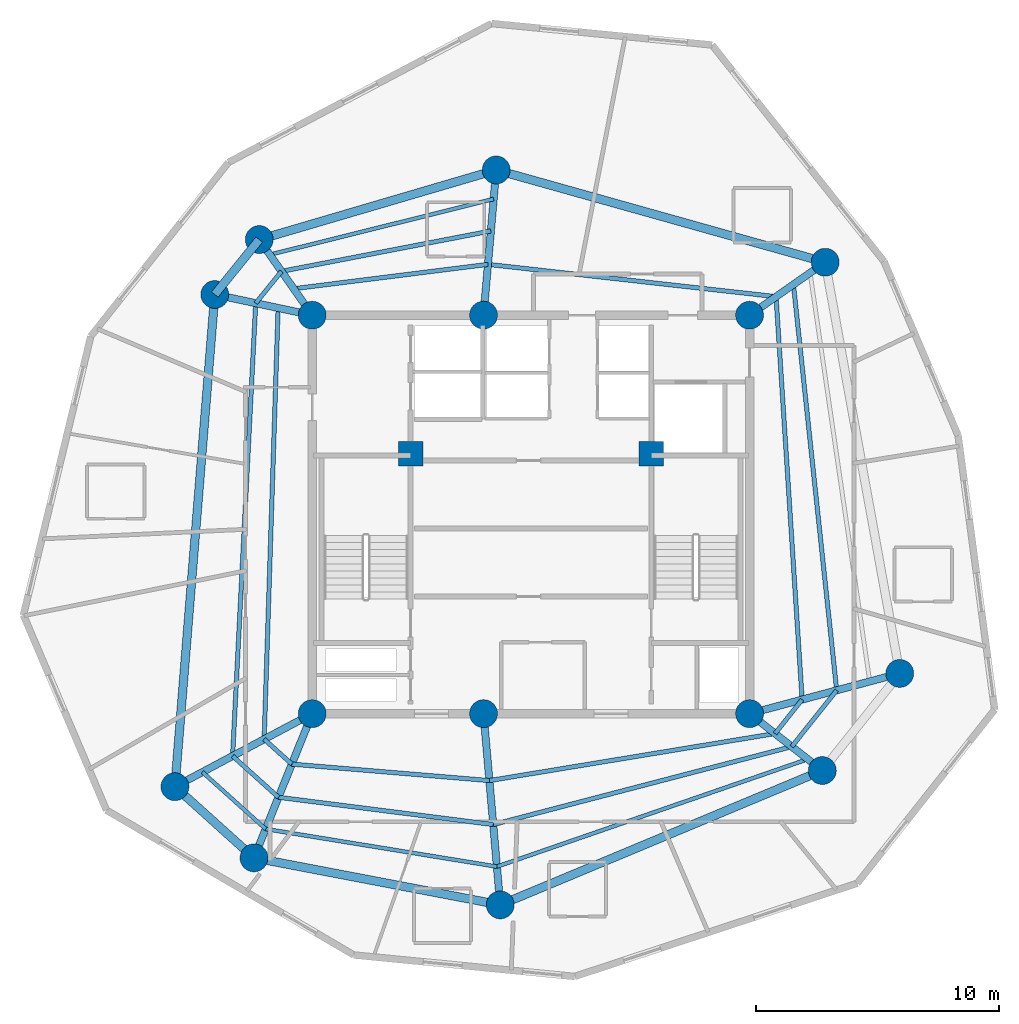
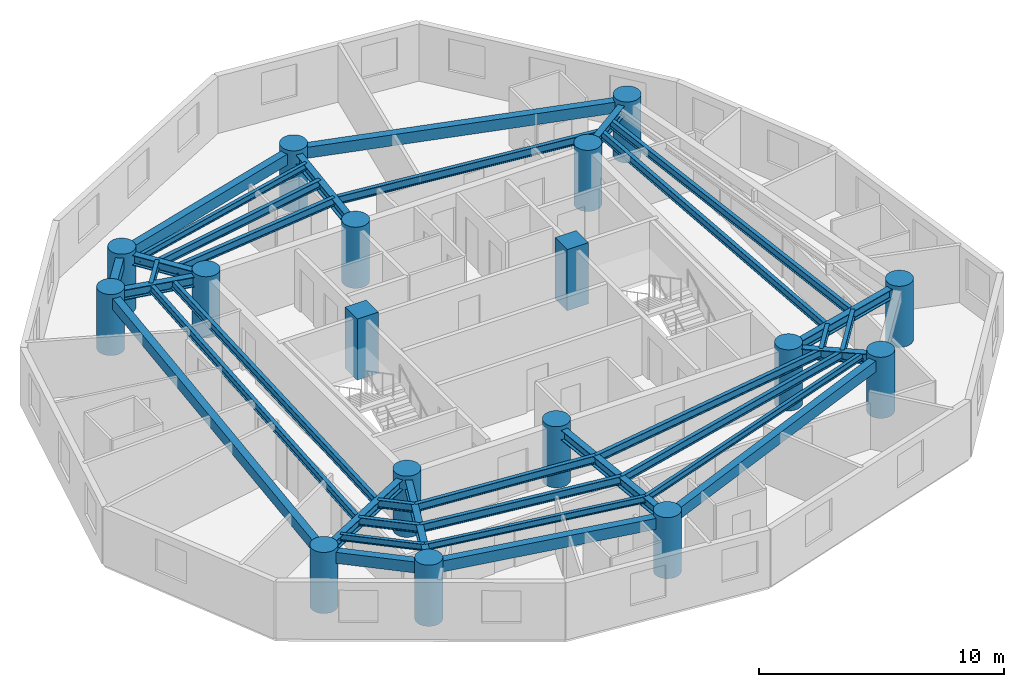
# One storey, part 1 of 7: 36 beams, 17 columns.
"""IFC4 building model written with IfcOpenShell, lengths in metres."""

from ifc_helpers import new_model, si_unit, direction, frame, origin, origin_with_axes, origin_2d, place, context, subcontext, project, spatial, rectangle, circle, i_section, extrude, source, transform, mapped, material, material_profile, profile_set, type_object, element, save


model = new_model("IFC4")

# Units and contexts
model_context = context("Model", 3, precision=1e-05, world=origin(), true_north=direction((0.0, 1.0)))
body_context = subcontext(model_context, "Body", "Model", "MODEL_VIEW")
ifc_project = project(units=[si_unit("LENGTHUNIT", "METRE"), si_unit("AREAUNIT", "SQUARE_METRE"), si_unit("VOLUMEUNIT", "CUBIC_METRE"), si_unit("PLANEANGLEUNIT", "RADIAN"), si_unit("MASSUNIT", "GRAM", prefix="KILO")], contexts=[model_context])

# Site, building, storey
site_placement = place(None, origin())
site = spatial("IfcSite", under=ifc_project, at=site_placement, CompositionType="ELEMENT")
building_placement = place(site_placement, origin())
building = spatial("IfcBuilding", under=site, at=building_placement, Name="Karkom Vertical University and Central Library", CompositionType="ELEMENT")
storey_placement = place(building_placement, frame((0.0, 0.0, 244.35009765625)))
storey = spatial("IfcBuildingStorey", under=building, at=storey_placement, Name="L72", CompositionType="ELEMENT", Elevation=244.35009765625)

# Columns
ifc_material_1 = material(Name="Concrete C50/60", Category="concrete")
ifc_material_profile_1 = material_profile(ifc_material_1, rectangle(XDim=1.0, YDim=1.0, at=origin_2d()), Name="RC-1000x1000")
ifc_profile_set_1 = profile_set([ifc_material_profile_1], Name="Concrete C50/60")
column_type_1 = type_object("IfcColumnType", Name="STR-COL-C-CC2", PredefinedType="COLUMN", material=ifc_profile_set_1)
shared_shape_1 = source(origin_with_axes(), body_context, "Body", "SweptSolid", [
    extrude(rectangle(XDim=1.0, YDim=1.0, at=origin_2d()), origin(), (0.0, 0.0, 1.0), 3.0498046875),
])
for number, where, z_axis, x_axis, name in (
    (1, (23.550048828125, 29.0, 0.0), (0.0, 0.0, 1.0), (1.0, 0.0, 0.0), "Level 72 Core Node Column CC-1"),
    (2, (33.449951171875, 29.0, 0.0), (0.0, 0.0, 1.0), (1.0, 0.0, 0.0), "Level 72 Core Node Column CC-2"),
):
    element("IfcColumn", number, at=place(storey_placement, frame(where, z_axis=z_axis, x_axis=x_axis)), inside=storey, type_object=column_type_1, Name=name, PredefinedType="COLUMN", context=body_context, shape_type="MappedRepresentation", body=[
        mapped(shared_shape_1, transform((0.0, 0.0, 0.0), scale=1.0)),
    ])
ifc_material_2 = material(Name="Concrete C45/55", Category="concrete")
ifc_material_profile_2 = material_profile(ifc_material_2, circle(Radius=0.574951171875, at=origin_2d()), Name="CFT-D1150")
ifc_profile_set_2 = profile_set([ifc_material_profile_2], Name="Concrete C45/55")
column_type_2 = type_object("IfcColumnType", Name="STR-COL-C-SC5", PredefinedType="COLUMN", material=ifc_profile_set_2)
shared_shape_2 = source(origin_with_axes(), body_context, "Body", "SweptSolid", [
    extrude(circle(Radius=0.574951171875, at=origin_2d()), origin(), (0.0, 0.0, 1.0), 3.0498046875),
])
for number, where, z_axis, x_axis, name in (
    (3, (19.5, 18.300048828125, 0.0), (0.0, 0.0, 1.0), (1.0, 0.0, 0.0), "Level 72 Spine Mega-Column SC-1"),
    (4, (26.550048828125, 18.300048828125, 0.0), (0.0, 0.0, 1.0), (1.0, 0.0, 0.0), "Level 72 Spine Mega-Column SC-2"),
    (5, (37.5, 18.300048828125, 0.0), (0.0, 0.0, 1.0), (1.0, 0.0, 0.0), "Level 72 Spine Mega-Column SC-3"),
    (6, (19.5, 34.699951171875, 0.0), (0.0, 0.0, 1.0), (1.0, 0.0, 0.0), "Level 72 Spine Mega-Column SC-4"),
    (7, (26.550048828125, 34.699951171875, 0.0), (0.0, 0.0, 1.0), (1.0, 0.0, 0.0), "Level 72 Spine Mega-Column SC-5"),
    (8, (37.5, 34.699951171875, 0.0), (0.0, 0.0, 1.0), (1.0, 0.0, 0.0), "Level 72 Spine Mega-Column SC-6"),
    (9, (43.681884765625, 19.9560546875, 0.0), (0.0, 0.0, 1.0), (1.0, 0.0, 0.0), "Level 72 Perimeter Mega-Column Z4-PC1"),
    (10, (40.613037109375, 36.8798828125, 0.0), (0.0, 0.0, 1.0), (1.0, 0.0, 0.0), "Level 72 Perimeter Mega-Column Z4-PC2"),
    (11, (27.072998046875, 40.677001953125, 0.0), (0.0, 0.0, 1.0), (1.0, 0.0, 0.0), "Level 72 Perimeter Mega-Column Z4-PC3"),
    (12, (17.320068359375, 37.81298828125, 0.0), (0.0, 0.0, 1.0), (1.0, 0.0, 0.0), "Level 72 Perimeter Mega-Column Z4-PC4"),
    (13, (15.489990234375, 35.552001953125, 0.0), (0.0, 0.0, 1.0), (1.0, 0.0, 0.0), "Level 72 Perimeter Mega-Column Z4-PC5"),
    (14, (13.84912109375, 15.294921875, 0.0), (0.0, 0.0, 1.0), (1.0, 0.0, 0.0), "Level 72 Perimeter Mega-Column Z4-PC6"),
    (15, (17.10302734375, 12.365966796875, 0.0), (0.0, 0.0, 1.0), (1.0, 0.0, 0.0), "Level 72 Perimeter Mega-Column Z4-PC7"),
    (16, (27.239013671875, 10.429931640625, 0.0), (0.0, 0.0, 1.0), (1.0, 0.0, 0.0), "Level 72 Perimeter Mega-Column Z4-PC8"),
    (17, (40.493896484375, 15.9599609375, 0.0), (0.0, 0.0, 1.0), (1.0, 0.0, 0.0), "Level 72 Perimeter Mega-Column Z4-PC9"),
):
    element("IfcColumn", number, at=place(storey_placement, frame(where, z_axis=z_axis, x_axis=x_axis)), inside=storey, type_object=column_type_2, Name=name, PredefinedType="COLUMN", context=body_context, shape_type="MappedRepresentation", body=[
        mapped(shared_shape_2, transform((0.0, 0.0, 0.0), scale=1.0)),
    ])

# Beams
ifc_material_3 = material(Name="Precast concrete C45/55", Category="concrete")
ifc_material_profile_3 = material_profile(ifc_material_3, rectangle(XDim=0.35009765625, YDim=0.550048828125, at=origin_2d()), Name="SPB-350x550")
ifc_profile_set_3 = profile_set([ifc_material_profile_3], Name="Precast concrete C45/55")
beam_type_1 = type_object("IfcBeamType", Name="STR-BM-SP-2", PredefinedType="SPANDREL", material=ifc_profile_set_3)
shared_shape_3 = source(origin_with_axes(), body_context, "Body", "SweptSolid", [
    extrude(rectangle(XDim=0.35009765625, YDim=0.550048828125, at=origin_2d()), origin(), (0.0, 0.0, 1.0), 14.0625),
])
beam_1_placement = place(storey_placement, frame((40.613037109375, 36.8798828125, 2.574951171875), z_axis=(-0.962854853531, 0.270019501207, 0.0), x_axis=(-0.270019501207, -0.962854853531, 0.0)))
element("IfcBeam", 18, at=beam_1_placement, inside=storey, type_object=beam_type_1, Name="Level 72 Perimeter Spandrel Beam 02", PredefinedType="SPANDREL", context=body_context, shape_type="MappedRepresentation", body=[
    mapped(shared_shape_3, transform((0.0, 0.0, 0.0), scale=1.0)),
])
shared_shape_4 = source(origin_with_axes(), body_context, "Body", "SweptSolid", [
    extrude(rectangle(XDim=0.35009765625, YDim=0.550048828125, at=origin_2d()), origin(), (0.0, 0.0, 1.0), 10.164794921875),
])
beam_2_placement = place(storey_placement, frame((27.072998046875, 40.677001953125, 2.574951171875), z_axis=(-0.959485124536, -0.281759286971, 0.0), x_axis=(0.281759286971, -0.959485124536, 0.0)))
element("IfcBeam", 19, at=beam_2_placement, inside=storey, type_object=beam_type_1, Name="Level 72 Perimeter Spandrel Beam 03", PredefinedType="SPANDREL", context=body_context, shape_type="MappedRepresentation", body=[
    mapped(shared_shape_4, transform((0.0, 0.0, 0.0), scale=1.0)),
])
shared_shape_5 = source(origin_with_axes(), body_context, "Body", "SweptSolid", [
    extrude(rectangle(XDim=0.35009765625, YDim=0.550048828125, at=origin_2d()), origin(), (0.0, 0.0, 1.0), 2.908935546875),
])
beam_3_placement = place(storey_placement, frame((17.320068359375, 37.81298828125, 2.574951171875), z_axis=(-0.629147523747, -0.777285914811, 0.0), x_axis=(0.777285914811, -0.629147523747, 0.0)))
element("IfcBeam", 20, at=beam_3_placement, inside=storey, type_object=beam_type_1, Name="Level 72 Perimeter Spandrel Beam 04", PredefinedType="SPANDREL", context=body_context, shape_type="MappedRepresentation", body=[
    mapped(shared_shape_5, transform((0.0, 0.0, 0.0), scale=1.0)),
])
shared_shape_6 = source(origin_with_axes(), body_context, "Body", "SweptSolid", [
    extrude(rectangle(XDim=0.35009765625, YDim=0.550048828125, at=origin_2d()), origin(), (0.0, 0.0, 1.0), 20.323486328125),
])
beam_4_placement = place(storey_placement, frame((15.489990234375, 35.552001953125, 2.574951171875), z_axis=(-0.080737811681, -0.996735373991, 0.0), x_axis=(0.996735373991, -0.080737811681, 0.0)))
element("IfcBeam", 21, at=beam_4_placement, inside=storey, type_object=beam_type_1, Name="Level 72 Perimeter Spandrel Beam 05", PredefinedType="SPANDREL", context=body_context, shape_type="MappedRepresentation", body=[
    mapped(shared_shape_6, transform((0.0, 0.0, 0.0), scale=1.0)),
])
shared_shape_7 = source(origin_with_axes(), body_context, "Body", "SweptSolid", [
    extrude(rectangle(XDim=0.35009765625, YDim=0.550048828125, at=origin_2d()), origin(), (0.0, 0.0, 1.0), 4.3779296875),
])
beam_5_placement = place(storey_placement, frame((13.84912109375, 15.294921875, 2.574951171875), z_axis=(0.743244232405, -0.669020187287, 0.0), x_axis=(0.669020187287, 0.743244232405, 0.0)))
element("IfcBeam", 22, at=beam_5_placement, inside=storey, type_object=beam_type_1, Name="Level 72 Perimeter Spandrel Beam 06", PredefinedType="SPANDREL", context=body_context, shape_type="MappedRepresentation", body=[
    mapped(shared_shape_7, transform((0.0, 0.0, 0.0), scale=1.0)),
])
shared_shape_8 = source(origin_with_axes(), body_context, "Body", "SweptSolid", [
    extrude(rectangle(XDim=0.35009765625, YDim=0.550048828125, at=origin_2d()), origin(), (0.0, 0.0, 1.0), 10.3193359375),
])
beam_6_placement = place(storey_placement, frame((17.10302734375, 12.365966796875, 2.574951171875), z_axis=(0.982242767385, -0.187614354249, 0.0), x_axis=(0.187614354249, 0.982242767385, 0.0)))
element("IfcBeam", 23, at=beam_6_placement, inside=storey, type_object=beam_type_1, Name="Level 72 Perimeter Spandrel Beam 07", PredefinedType="SPANDREL", context=body_context, shape_type="MappedRepresentation", body=[
    mapped(shared_shape_8, transform((0.0, 0.0, 0.0), scale=1.0)),
])
shared_shape_9 = source(origin_with_axes(), body_context, "Body", "SweptSolid", [
    extrude(rectangle(XDim=0.35009765625, YDim=0.550048828125, at=origin_2d()), origin(), (0.0, 0.0, 1.0), 14.3623046875),
])
beam_7_placement = place(storey_placement, frame((27.239013671875, 10.429931640625, 2.574951171875), z_axis=(0.922899796194, 0.385040213725, 0.0), x_axis=(-0.385040213725, 0.922899796194, 0.0)))
element("IfcBeam", 24, at=beam_7_placement, inside=storey, type_object=beam_type_1, Name="Level 72 Perimeter Spandrel Beam 08", PredefinedType="SPANDREL", context=body_context, shape_type="MappedRepresentation", body=[
    mapped(shared_shape_9, transform((0.0, 0.0, 0.0), scale=1.0)),
])
ifc_material_4 = material(Name="Steel S355", Category="steel")
ifc_material_profile_4 = material_profile(ifc_material_4, i_section(OverallWidth=0.179931640625, OverallDepth=0.39990234375, WebThickness=0.008544921875, FlangeThickness=0.013427734375, FilletRadius=0.02099609375, at=origin_2d()), Name="IPE 400")
ifc_profile_set_4 = profile_set([ifc_material_profile_4], Name="Steel S355")
beam_type_2 = type_object("IfcBeamType", Name="STR-BM-SB-IPE400", PredefinedType="BEAM", material=ifc_profile_set_4)
shared_shape_10 = source(origin_with_axes(), body_context, "Body", "SweptSolid", [
    extrude(i_section(OverallWidth=0.179931640625, OverallDepth=0.39990234375, WebThickness=0.008544921875, FlangeThickness=0.013427734375, FilletRadius=0.02099609375, at=origin_2d()), origin(), (0.0, 0.0, 1.0), 16.617919921875),
])
beam_8_placement = place(storey_placement, frame((39.663818359375, 18.879638671875, 2.64990234375), z_axis=(-0.064641848008, 0.997908528617, 0.0), x_axis=(-0.997908528617, -0.064641848008, 0.0)))
element("IfcBeam", 25, at=beam_8_placement, inside=storey, type_object=beam_type_2, Name="Level 72 Secondary Composite Floor Beam 1.01", PredefinedType="BEAM", context=body_context, shape_type="MappedRepresentation", body=[
    mapped(shared_shape_10, transform((0.0, 0.0, 0.0), scale=1.0)),
])
shared_shape_11 = source(origin_with_axes(), body_context, "Body", "SweptSolid", [
    extrude(i_section(OverallWidth=0.179931640625, OverallDepth=0.39990234375, WebThickness=0.008544921875, FlangeThickness=0.013427734375, FilletRadius=0.02099609375, at=origin_2d()), origin(), (0.0, 0.0, 1.0), 11.9306640625),
])
beam_9_placement = place(storey_placement, frame((38.589599609375, 35.462890625, 2.64990234375), z_axis=(-0.993775454886, 0.11140172919, 0.0), x_axis=(-0.11140172919, -0.993775454886, 0.0)))
element("IfcBeam", 26, at=beam_9_placement, inside=storey, type_object=beam_type_2, Name="Level 72 Secondary Composite Floor Beam 1.02", PredefinedType="BEAM", context=body_context, shape_type="MappedRepresentation", body=[
    mapped(shared_shape_11, transform((0.0, 0.0, 0.0), scale=1.0)),
])
shared_shape_12 = source(origin_with_axes(), body_context, "Body", "SweptSolid", [
    extrude(i_section(OverallWidth=0.179931640625, OverallDepth=0.39990234375, WebThickness=0.008544921875, FlangeThickness=0.013427734375, FilletRadius=0.02099609375, at=origin_2d()), origin(), (0.0, 0.0, 1.0), 8.05859375),
])
beam_10_placement = place(storey_placement, frame((26.733154296875, 36.7919921875, 2.64990234375), z_axis=(-0.99223306826, -0.124392677646, 0.0), x_axis=(0.124392677646, -0.99223306826, 0.0)))
element("IfcBeam", 27, at=beam_10_placement, inside=storey, type_object=beam_type_2, Name="Level 72 Secondary Composite Floor Beam 1.03", PredefinedType="BEAM", context=body_context, shape_type="MappedRepresentation", body=[
    mapped(shared_shape_12, transform((0.0, 0.0, 0.0), scale=1.0)),
])
shared_shape_13 = source(origin_with_axes(), body_context, "Body", "SweptSolid", [
    extrude(i_section(OverallWidth=0.179931640625, OverallDepth=0.39990234375, WebThickness=0.008544921875, FlangeThickness=0.013427734375, FilletRadius=0.02099609375, at=origin_2d()), origin(), (0.0, 0.0, 1.0), 17.75927734375),
])
beam_11_placement = place(storey_placement, frame((18.096435546875, 34.998291015625, 2.64990234375), z_axis=(-0.032333437334, -0.999477137723, 0.0), x_axis=(0.999477137723, -0.032333437334, 0.0)))
element("IfcBeam", 28, at=beam_11_placement, inside=storey, type_object=beam_type_2, Name="Level 72 Secondary Composite Floor Beam 1.05", PredefinedType="BEAM", context=body_context, shape_type="MappedRepresentation", body=[
    mapped(shared_shape_13, transform((0.0, 0.0, 0.0), scale=1.0)),
])
shared_shape_14 = source(origin_with_axes(), body_context, "Body", "SweptSolid", [
    extrude(i_section(OverallWidth=0.179931640625, OverallDepth=0.39990234375, WebThickness=0.008544921875, FlangeThickness=0.013427734375, FilletRadius=0.02099609375, at=origin_2d()), origin(), (0.0, 0.0, 1.0), 1.5322265625),
])
beam_12_placement = place(storey_placement, frame((17.522216796875, 17.248291015625, 2.64990234375), z_axis=(0.743183211059, -0.669087972392, 0.0), x_axis=(0.669087972392, 0.743183211059, 0.0)))
element("IfcBeam", 29, at=beam_12_placement, inside=storey, type_object=beam_type_2, Name="Level 72 Secondary Composite Floor Beam 1.06", PredefinedType="BEAM", context=body_context, shape_type="MappedRepresentation", body=[
    mapped(shared_shape_14, transform((0.0, 0.0, 0.0), scale=1.0)),
])
shared_shape_15 = source(origin_with_axes(), body_context, "Body", "SweptSolid", [
    extrude(i_section(OverallWidth=0.179931640625, OverallDepth=0.39990234375, WebThickness=0.008544921875, FlangeThickness=0.013427734375, FilletRadius=0.02099609375, at=origin_2d()), origin(), (0.0, 0.0, 1.0), 8.15869140625),
])
beam_13_placement = place(storey_placement, frame((18.660888671875, 16.22314453125, 2.64990234375), z_axis=(0.996543694183, -0.083070244882, 0.0), x_axis=(0.083070244882, 0.996543694183, 0.0)))
element("IfcBeam", 30, at=beam_13_placement, inside=storey, type_object=beam_type_2, Name="Level 72 Secondary Composite Floor Beam 1.07", PredefinedType="BEAM", context=body_context, shape_type="MappedRepresentation", body=[
    mapped(shared_shape_15, transform((0.0, 0.0, 0.0), scale=1.0)),
])
shared_shape_16 = source(origin_with_axes(), body_context, "Body", "SweptSolid", [
    extrude(i_section(OverallWidth=0.179931640625, OverallDepth=0.39990234375, WebThickness=0.008544921875, FlangeThickness=0.013427734375, FilletRadius=0.02099609375, at=origin_2d()), origin(), (0.0, 0.0, 1.0), 11.914794921875),
])
beam_14_placement = place(storey_placement, frame((26.791259765625, 15.54541015625, 2.64990234375), z_axis=(0.986717073469, 0.162448197663, 0.0), x_axis=(-0.162448197663, 0.986717073469, 0.0)))
element("IfcBeam", 31, at=beam_14_placement, inside=storey, type_object=beam_type_2, Name="Level 72 Secondary Composite Floor Beam 1.08", PredefinedType="BEAM", context=body_context, shape_type="MappedRepresentation", body=[
    mapped(shared_shape_16, transform((0.0, 0.0, 0.0), scale=1.0)),
])
shared_shape_17 = source(origin_with_axes(), body_context, "Body", "SweptSolid", [
    extrude(i_section(OverallWidth=0.179931640625, OverallDepth=0.39990234375, WebThickness=0.008544921875, FlangeThickness=0.013427734375, FilletRadius=0.02099609375, at=origin_2d()), origin(), (0.0, 0.0, 1.0), 1.789306640625),
])
beam_15_placement = place(storey_placement, frame((38.5478515625, 17.48095703125, 2.64990234375), z_axis=(0.623679519349, 0.781680150154, 0.0), x_axis=(-0.781680150154, 0.623679519349, 0.0)))
element("IfcBeam", 32, at=beam_15_placement, inside=storey, type_object=beam_type_2, Name="Level 72 Secondary Composite Floor Beam 1.09", PredefinedType="BEAM", context=body_context, shape_type="MappedRepresentation", body=[
    mapped(shared_shape_17, transform((0.0, 0.0, 0.0), scale=1.0)),
])
shared_shape_18 = source(origin_with_axes(), body_context, "Body", "SweptSolid", [
    extrude(i_section(OverallWidth=0.179931640625, OverallDepth=0.39990234375, WebThickness=0.008544921875, FlangeThickness=0.013427734375, FilletRadius=0.02099609375, at=origin_2d()), origin(), (0.0, 0.0, 1.0), 16.79833984375),
])
beam_16_placement = place(storey_placement, frame((41.085693359375, 19.260498046875, 2.64990234375), z_axis=(-0.105978377704, 0.994368434464, 0.0), x_axis=(-0.994368434464, -0.105978377704, 0.0)))
element("IfcBeam", 33, at=beam_16_placement, inside=storey, type_object=beam_type_2, Name="Level 72 Secondary Composite Floor Beam 2.01", PredefinedType="BEAM", context=body_context, shape_type="MappedRepresentation", body=[
    mapped(shared_shape_18, transform((0.0, 0.0, 0.0), scale=1.0)),
])
shared_shape_19 = source(origin_with_axes(), body_context, "Body", "SweptSolid", [
    extrude(i_section(OverallWidth=0.179931640625, OverallDepth=0.39990234375, WebThickness=0.008544921875, FlangeThickness=0.013427734375, FilletRadius=0.02099609375, at=origin_2d()), origin(), (0.0, 0.0, 1.0), 8.7763671875),
])
beam_17_placement = place(storey_placement, frame((26.853271484375, 38.166748046875, 2.64990234375), z_axis=(-0.981924209256, -0.189274528862, 0.0), x_axis=(0.189274528862, -0.981924209256, 0.0)))
element("IfcBeam", 34, at=beam_17_placement, inside=storey, type_object=beam_type_2, Name="Level 72 Secondary Composite Floor Beam 2.03", PredefinedType="BEAM", context=body_context, shape_type="MappedRepresentation", body=[
    mapped(shared_shape_19, transform((0.0, 0.0, 0.0), scale=1.0)),
])
shared_shape_20 = source(origin_with_axes(), body_context, "Body", "SweptSolid", [
    extrude(i_section(OverallWidth=0.179931640625, OverallDepth=0.39990234375, WebThickness=0.008544921875, FlangeThickness=0.013427734375, FilletRadius=0.02099609375, at=origin_2d()), origin(), (0.0, 0.0, 1.0), 1.68701171875),
])
beam_18_placement = place(storey_placement, frame((18.235595703125, 36.505615234375, 2.64990234375), z_axis=(-0.629044191861, -0.777369541908, 0.0), x_axis=(0.777369541908, -0.629044191861, 0.0)))
element("IfcBeam", 35, at=beam_18_placement, inside=storey, type_object=beam_type_2, Name="Level 72 Secondary Composite Floor Beam 2.04", PredefinedType="BEAM", context=body_context, shape_type="MappedRepresentation", body=[
    mapped(shared_shape_20, transform((0.0, 0.0, 0.0), scale=1.0)),
])
shared_shape_21 = source(origin_with_axes(), body_context, "Body", "SweptSolid", [
    extrude(i_section(OverallWidth=0.179931640625, OverallDepth=0.39990234375, WebThickness=0.008544921875, FlangeThickness=0.013427734375, FilletRadius=0.02099609375, at=origin_2d()), origin(), (0.0, 0.0, 1.0), 18.661376953125),
])
beam_19_placement = place(storey_placement, frame((17.17431640625, 35.194091796875, 2.64990234375), z_axis=(-0.051009656211, -0.998698160093, 0.0), x_axis=(0.998698160093, -0.051009656211, 0.0)))
element("IfcBeam", 36, at=beam_19_placement, inside=storey, type_object=beam_type_2, Name="Level 72 Secondary Composite Floor Beam 2.05", PredefinedType="BEAM", context=body_context, shape_type="MappedRepresentation", body=[
    mapped(shared_shape_21, transform((0.0, 0.0, 0.0), scale=1.0)),
])
shared_shape_22 = source(origin_with_axes(), body_context, "Body", "SweptSolid", [
    extrude(i_section(OverallWidth=0.179931640625, OverallDepth=0.39990234375, WebThickness=0.008544921875, FlangeThickness=0.013427734375, FilletRadius=0.02099609375, at=origin_2d()), origin(), (0.0, 0.0, 1.0), 2.5390625),
])
beam_20_placement = place(storey_placement, frame((16.222412109375, 16.55712890625, 2.64990234375), z_axis=(0.743246334517, -0.669017851949, 0.0), x_axis=(0.669017851949, 0.743246334517, 0.0)))
element("IfcBeam", 37, at=beam_20_placement, inside=storey, type_object=beam_type_2, Name="Level 72 Secondary Composite Floor Beam 2.06", PredefinedType="BEAM", context=body_context, shape_type="MappedRepresentation", body=[
    mapped(shared_shape_22, transform((0.0, 0.0, 0.0), scale=1.0)),
])
shared_shape_23 = source(origin_with_axes(), body_context, "Body", "SweptSolid", [
    extrude(i_section(OverallWidth=0.179931640625, OverallDepth=0.39990234375, WebThickness=0.008544921875, FlangeThickness=0.013427734375, FilletRadius=0.02099609375, at=origin_2d()), origin(), (0.0, 0.0, 1.0), 8.9111328125),
])
beam_21_placement = place(storey_placement, frame((18.109619140625, 14.8583984375, 2.64990234375), z_axis=(0.992026771403, -0.126027317751, 0.0), x_axis=(0.126027317751, 0.992026771403, 0.0)))
element("IfcBeam", 38, at=beam_21_placement, inside=storey, type_object=beam_type_2, Name="Level 72 Secondary Composite Floor Beam 2.07", PredefinedType="BEAM", context=body_context, shape_type="MappedRepresentation", body=[
    mapped(shared_shape_23, transform((0.0, 0.0, 0.0), scale=1.0)),
])
shared_shape_24 = source(origin_with_axes(), body_context, "Body", "SweptSolid", [
    extrude(i_section(OverallWidth=0.179931640625, OverallDepth=0.39990234375, WebThickness=0.008544921875, FlangeThickness=0.013427734375, FilletRadius=0.02099609375, at=origin_2d()), origin(), (0.0, 0.0, 1.0), 12.69873046875),
])
beam_22_placement = place(storey_placement, frame((26.94970703125, 13.7353515625, 2.64990234375), z_axis=(0.967573974729, 0.252587813301, 0.0), x_axis=(-0.252587813301, 0.967573974729, 0.0)))
element("IfcBeam", 39, at=beam_22_placement, inside=storey, type_object=beam_type_2, Name="Level 72 Secondary Composite Floor Beam 2.08", PredefinedType="BEAM", context=body_context, shape_type="MappedRepresentation", body=[
    mapped(shared_shape_24, transform((0.0, 0.0, 0.0), scale=1.0)),
])
shared_shape_25 = source(origin_with_axes(), body_context, "Body", "SweptSolid", [
    extrude(i_section(OverallWidth=0.179931640625, OverallDepth=0.39990234375, WebThickness=0.008544921875, FlangeThickness=0.013427734375, FilletRadius=0.02099609375, at=origin_2d()), origin(), (0.0, 0.0, 1.0), 2.96484375),
])
beam_23_placement = place(storey_placement, frame((39.236572265625, 16.94287109375, 2.64990234375), z_axis=(0.623670236397, 0.781687556657, 0.0), x_axis=(-0.781687556657, 0.623670236397, 0.0)))
element("IfcBeam", 40, at=beam_23_placement, inside=storey, type_object=beam_type_2, Name="Level 72 Secondary Composite Floor Beam 2.09", PredefinedType="BEAM", context=body_context, shape_type="MappedRepresentation", body=[
    mapped(shared_shape_25, transform((0.0, 0.0, 0.0), scale=1.0)),
])
ifc_material_profile_5 = material_profile(ifc_material_4, i_section(OverallWidth=0.159912109375, OverallDepth=0.330078125, WebThickness=0.007568359375, FlangeThickness=0.011474609375, FilletRadius=0.01806640625, at=origin_2d()), Name="IPE 330")
ifc_profile_set_5 = profile_set([ifc_material_profile_5], Name="Steel S355")
beam_type_3 = type_object("IfcBeamType", Name="STR-BM-SB-IPE330", PredefinedType="BEAM", material=ifc_profile_set_5)
shared_shape_26 = source(origin_with_axes(), body_context, "Body", "SweptSolid", [
    extrude(i_section(OverallWidth=0.159912109375, OverallDepth=0.330078125, WebThickness=0.007568359375, FlangeThickness=0.011474609375, FilletRadius=0.01806640625, at=origin_2d()), origin(), (0.0, 0.0, 1.0), 9.4931640625),
])
beam_24_placement = place(storey_placement, frame((26.968505859375, 39.481689453125, 2.684814453125), z_axis=(-0.970435275293, -0.241361505767, 0.0), x_axis=(0.241361505767, -0.970435275293, 0.0)))
element("IfcBeam", 41, at=beam_24_placement, inside=storey, type_object=beam_type_3, Name="Level 72 Secondary Composite Floor Beam 3.03", PredefinedType="BEAM", context=body_context, shape_type="MappedRepresentation", body=[
    mapped(shared_shape_26, transform((0.0, 0.0, 0.0), scale=1.0)),
])
shared_shape_27 = source(origin_with_axes(), body_context, "Body", "SweptSolid", [
    extrude(i_section(OverallWidth=0.159912109375, OverallDepth=0.330078125, WebThickness=0.007568359375, FlangeThickness=0.011474609375, FilletRadius=0.01806640625, at=origin_2d()), origin(), (0.0, 0.0, 1.0), 3.50244140625),
])
beam_25_placement = place(storey_placement, frame((14.979248046875, 15.89599609375, 2.684814453125), z_axis=(0.743249087562, -0.669014793437, 0.0), x_axis=(0.669014793437, 0.743249087562, 0.0)))
element("IfcBeam", 42, at=beam_25_placement, inside=storey, type_object=beam_type_3, Name="Level 72 Secondary Composite Floor Beam 3.06", PredefinedType="BEAM", context=body_context, shape_type="MappedRepresentation", body=[
    mapped(shared_shape_27, transform((0.0, 0.0, 0.0), scale=1.0)),
])
shared_shape_28 = source(origin_with_axes(), body_context, "Body", "SweptSolid", [
    extrude(i_section(OverallWidth=0.159912109375, OverallDepth=0.330078125, WebThickness=0.007568359375, FlangeThickness=0.011474609375, FilletRadius=0.01806640625, at=origin_2d()), origin(), (0.0, 0.0, 1.0), 9.64404296875),
])
beam_26_placement = place(storey_placement, frame((17.58251953125, 13.552734375, 2.684814453125), z_axis=(0.987019497924, -0.160600469231, 0.0), x_axis=(0.160600469231, 0.987019497924, 0.0)))
element("IfcBeam", 43, at=beam_26_placement, inside=storey, type_object=beam_type_3, Name="Level 72 Secondary Composite Floor Beam 3.07", PredefinedType="BEAM", context=body_context, shape_type="MappedRepresentation", body=[
    mapped(shared_shape_28, transform((0.0, 0.0, 0.0), scale=1.0)),
])
shared_shape_29 = source(origin_with_axes(), body_context, "Body", "SweptSolid", [
    extrude(i_section(OverallWidth=0.159912109375, OverallDepth=0.330078125, WebThickness=0.007568359375, FlangeThickness=0.011474609375, FilletRadius=0.01806640625, at=origin_2d()), origin(), (0.0, 0.0, 1.0), 13.537353515625),
])
beam_27_placement = place(storey_placement, frame((27.101318359375, 12.00390625, 2.684814453125), z_axis=(0.945091088216, 0.32680703018, 0.0), x_axis=(-0.32680703018, 0.945091088216, 0.0)))
element("IfcBeam", 44, at=beam_27_placement, inside=storey, type_object=beam_type_3, Name="Level 72 Secondary Composite Floor Beam 3.08", PredefinedType="BEAM", context=body_context, shape_type="MappedRepresentation", body=[
    mapped(shared_shape_29, transform((0.0, 0.0, 0.0), scale=1.0)),
])
ifc_material_profile_6 = material_profile(ifc_material_4, i_section(OverallWidth=0.300048828125, OverallDepth=0.5, WebThickness=0.014404296875, FlangeThickness=0.028076171875, FilletRadius=0.027099609375, at=origin_2d()), Name="HE 500 B")
ifc_profile_set_6 = profile_set([ifc_material_profile_6], Name="Steel S355")
beam_type_4 = type_object("IfcBeamType", Name="STR-BM-SB-HE500", PredefinedType="USERDEFINED", material=ifc_profile_set_6)
shared_shape_30 = source(origin_with_axes(), body_context, "Body", "SweptSolid", [
    extrude(i_section(OverallWidth=0.300048828125, OverallDepth=0.5, WebThickness=0.014404296875, FlangeThickness=0.028076171875, FilletRadius=0.027099609375, at=origin_2d()), origin(), (0.0, 0.0, 1.0), 6.39990234375),
])
for number, where, z_axis, x_axis, name in (
    (45, (37.5, 18.300048828125, 2.599853515625), (0.965942432948, 0.258757060254, 0.0), (-0.258757060254, 0.965942432948, 0.0), "Level 72 Radial Frame Girder 01"),
    (46, (19.5, 18.300048828125, 2.599853515625), (-0.374532429749, -0.927213815183, 0.0), (0.927213815183, -0.374532429749, 0.0), "Level 72 Radial Frame Girder 07"),
):
    element("IfcBeam", number, at=place(storey_placement, frame(where, z_axis=z_axis, x_axis=x_axis)), inside=storey, type_object=beam_type_4, Name=name, ObjectType="GIRDER", PredefinedType="USERDEFINED", context=body_context, shape_type="MappedRepresentation", body=[
        mapped(shared_shape_30, transform((0.0, 0.0, 0.0), scale=1.0)),
    ])
shared_shape_31 = source(origin_with_axes(), body_context, "Body", "SweptSolid", [
    extrude(i_section(OverallWidth=0.300048828125, OverallDepth=0.5, WebThickness=0.014404296875, FlangeThickness=0.028076171875, FilletRadius=0.027099609375, at=origin_2d()), origin(), (0.0, 0.0, 1.0), 3.80029296875),
])
for number, where, z_axis, x_axis, name in (
    (47, (37.5, 34.699951171875, 2.599853515625), (0.819132313625, 0.573604613627, 0.0), (-0.573604613627, 0.819132313625, 0.0), "Level 72 Radial Frame Girder 02"),
    (48, (19.5, 34.699951171875, 2.599853515625), (-0.573604613627, 0.819132313625, 0.0), (-0.819132313625, -0.573604613627, 0.0), "Level 72 Radial Frame Girder 04"),
):
    element("IfcBeam", number, at=place(storey_placement, frame(where, z_axis=z_axis, x_axis=x_axis)), inside=storey, type_object=beam_type_4, Name=name, ObjectType="GIRDER", PredefinedType="USERDEFINED", context=body_context, shape_type="MappedRepresentation", body=[
        mapped(shared_shape_31, transform((0.0, 0.0, 0.0), scale=1.0)),
    ])
shared_shape_32 = source(origin_with_axes(), body_context, "Body", "SweptSolid", [
    extrude(i_section(OverallWidth=0.300048828125, OverallDepth=0.5, WebThickness=0.014404296875, FlangeThickness=0.028076171875, FilletRadius=0.027099609375, at=origin_2d()), origin(), (0.0, 0.0, 1.0), 6.0),
])
beam_28_placement = place(storey_placement, frame((26.550048828125, 34.699951171875, 2.599853515625), z_axis=(0.087159883478, 0.996194335816, 0.0), x_axis=(-0.996194335816, 0.087159883478, 0.0)))
element("IfcBeam", 49, at=beam_28_placement, inside=storey, type_object=beam_type_4, Name="Level 72 Radial Frame Girder 03", ObjectType="GIRDER", PredefinedType="USERDEFINED", context=body_context, shape_type="MappedRepresentation", body=[
    mapped(shared_shape_32, transform((0.0, 0.0, 0.0), scale=1.0)),
])
shared_shape_33 = source(origin_with_axes(), body_context, "Body", "SweptSolid", [
    extrude(i_section(OverallWidth=0.300048828125, OverallDepth=0.5, WebThickness=0.014404296875, FlangeThickness=0.028076171875, FilletRadius=0.027099609375, at=origin_2d()), origin(), (0.0, 0.0, 1.0), 4.099609375),
])
beam_29_placement = place(storey_placement, frame((19.5, 34.699951171875, 2.599853515625), z_axis=(-0.978162634602, 0.207840949453, 0.0), x_axis=(-0.207840949453, -0.978162634602, 0.0)))
element("IfcBeam", 50, at=beam_29_placement, inside=storey, type_object=beam_type_4, Name="Level 72 Radial Frame Girder 05", ObjectType="GIRDER", PredefinedType="USERDEFINED", context=body_context, shape_type="MappedRepresentation", body=[
    mapped(shared_shape_33, transform((0.0, 0.0, 0.0), scale=1.0)),
])
shared_shape_34 = source(origin_with_axes(), body_context, "Body", "SweptSolid", [
    extrude(i_section(OverallWidth=0.300048828125, OverallDepth=0.5, WebThickness=0.014404296875, FlangeThickness=0.028076171875, FilletRadius=0.027099609375, at=origin_2d()), origin(), (0.0, 0.0, 1.0), 6.400146484375),
])
beam_30_placement = place(storey_placement, frame((19.5, 18.300048828125, 2.599853515625), z_axis=(-0.882915120857, -0.469532628645, 0.0), x_axis=(0.469532628645, -0.882915120857, 0.0)))
element("IfcBeam", 51, at=beam_30_placement, inside=storey, type_object=beam_type_4, Name="Level 72 Radial Frame Girder 06", ObjectType="GIRDER", PredefinedType="USERDEFINED", context=body_context, shape_type="MappedRepresentation", body=[
    mapped(shared_shape_34, transform((0.0, 0.0, 0.0), scale=1.0)),
])
shared_shape_35 = source(origin_with_axes(), body_context, "Body", "SweptSolid", [
    extrude(i_section(OverallWidth=0.300048828125, OverallDepth=0.5, WebThickness=0.014404296875, FlangeThickness=0.028076171875, FilletRadius=0.027099609375, at=origin_2d()), origin(), (0.0, 0.0, 1.0), 7.900146484375),
])
beam_31_placement = place(storey_placement, frame((26.550048828125, 18.300048828125, 2.599853515625), z_axis=(0.087208352312, -0.996190093951, 0.0), x_axis=(0.996190093951, 0.087208352312, 0.0)))
element("IfcBeam", 52, at=beam_31_placement, inside=storey, type_object=beam_type_4, Name="Level 72 Radial Frame Girder 08", ObjectType="GIRDER", PredefinedType="USERDEFINED", context=body_context, shape_type="MappedRepresentation", body=[
    mapped(shared_shape_35, transform((0.0, 0.0, 0.0), scale=1.0)),
])
shared_shape_36 = source(origin_with_axes(), body_context, "Body", "SweptSolid", [
    extrude(i_section(OverallWidth=0.300048828125, OverallDepth=0.5, WebThickness=0.014404296875, FlangeThickness=0.028076171875, FilletRadius=0.027099609375, at=origin_2d()), origin(), (0.0, 0.0, 1.0), 3.7998046875),
])
beam_32_placement = place(storey_placement, frame((37.5, 18.300048828125, 2.599853515625), z_axis=(0.787883114707, -0.61582481077, 0.0), x_axis=(0.61582481077, 0.787883114707, 0.0)))
element("IfcBeam", 53, at=beam_32_placement, inside=storey, type_object=beam_type_4, Name="Level 72 Radial Frame Girder 09", ObjectType="GIRDER", PredefinedType="USERDEFINED", context=body_context, shape_type="MappedRepresentation", body=[
    mapped(shared_shape_36, transform((0.0, 0.0, 0.0), scale=1.0)),
])

save(model, "model.ifc")
